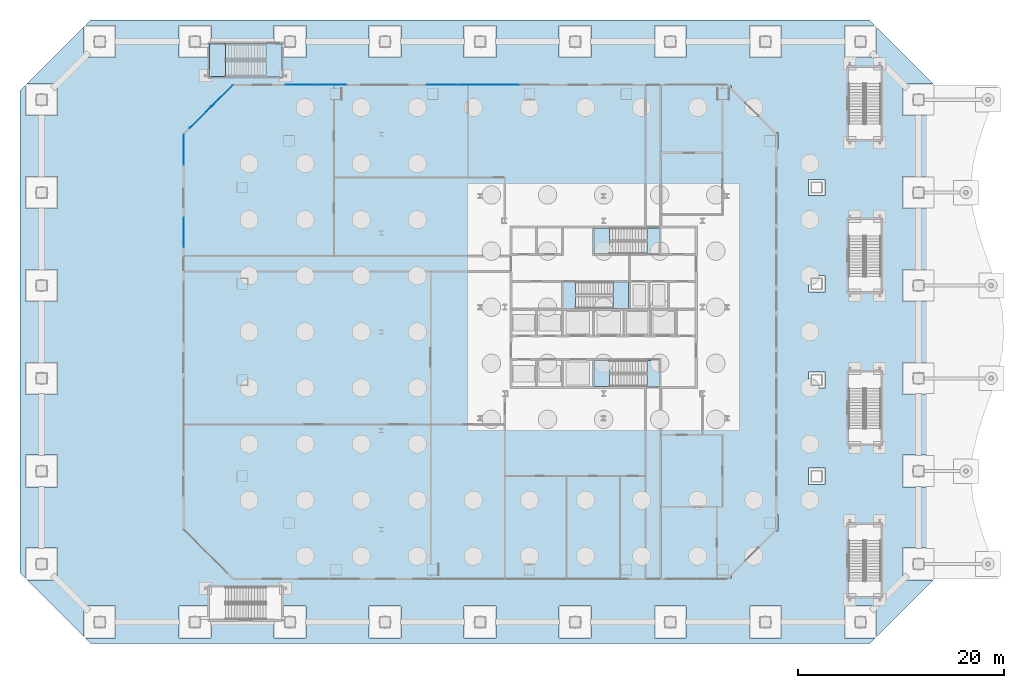
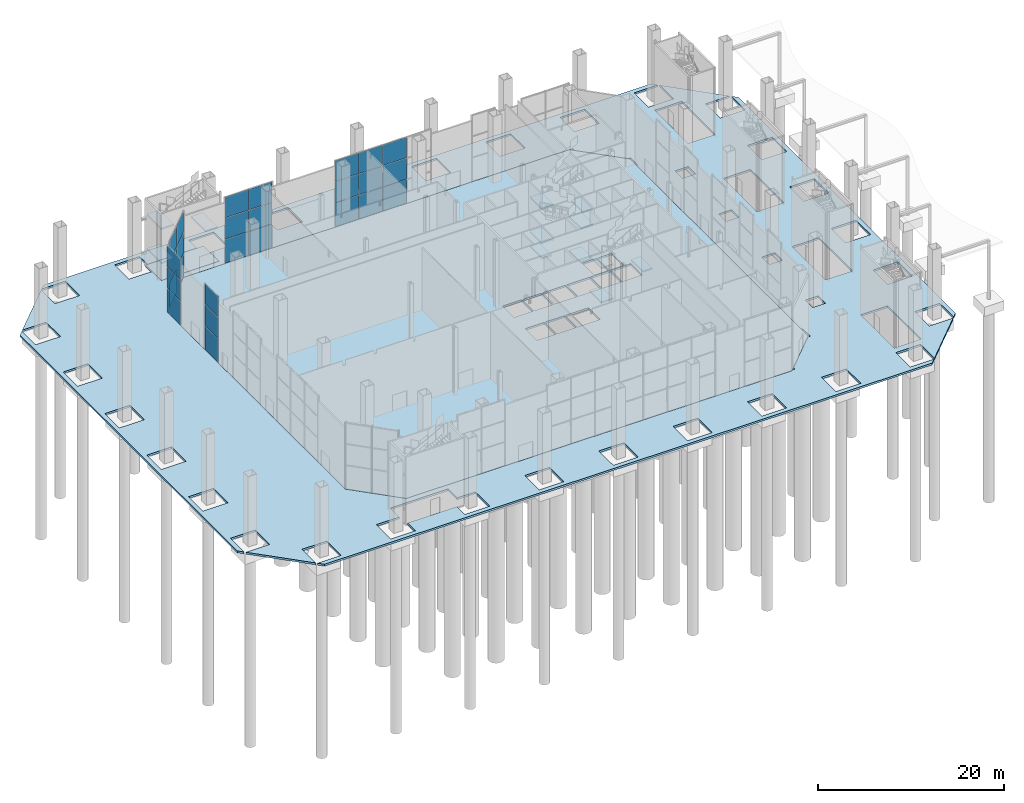
# One storey, part 21 of 38: 27 plates, 15 slabs, 9 elements without a shape of their own.
"""IFC4 building model written with IfcOpenShell, lengths in metres."""

from ifc_helpers import new_model, si_unit, direction, frame, origin, origin_2d, place, context, subcontext, project, spatial, polyline, rectangle, outline, extrude, material, layer, layer_set, type_object, element, aggregate, save


model = new_model("IFC4")

# Units and contexts
model_context = context("Model", 3, precision=1e-05, world=origin(), true_north=direction((0.0, 1.0)))
body_context = subcontext(model_context, "Body", "Model", "MODEL_VIEW")
ifc_project = project(units=[si_unit("LENGTHUNIT", "METRE"), si_unit("AREAUNIT", "SQUARE_METRE"), si_unit("VOLUMEUNIT", "CUBIC_METRE"), si_unit("PLANEANGLEUNIT", "RADIAN"), si_unit("MASSUNIT", "GRAM", prefix="KILO")], contexts=[model_context])

# Site, building, storey
site_placement = place(None, origin())
site = spatial("IfcSite", under=ifc_project, at=site_placement, CompositionType="ELEMENT")
building_placement = place(site_placement, origin())
building = spatial("IfcBuilding", under=site, at=building_placement, Name="Cairn Pilgrim Tower", CompositionType="ELEMENT")
storey_placement = place(building_placement, origin())
storey = spatial("IfcBuildingStorey", under=building, at=storey_placement, Name="L00", CompositionType="ELEMENT", Elevation=0.0)

# Slab
ifc_material_1 = material(Name="Concrete C32/40", Category="concrete")
ifc_layer_1 = layer(ifc_material_1, 0.25)
ifc_layer_set_1 = layer_set([ifc_layer_1], Name="GROUND SLAB 250")
slab_type_1 = type_object("IfcSlabType", Name="GROUND SLAB 250", PredefinedType="BASESLAB", material=ifc_layer_set_1)
slab_1_placement = place(storey_placement, frame((0.0, 0.0, -0.25)))
element("IfcSlab", 1, at=slab_1_placement, inside=storey, type_object=slab_type_1, Name="GROUND SLAB", PredefinedType="BASESLAB", context=body_context, shape_type="SweptSolid", body=[
    extrude(outline(polyline([(-28.800048828125, -24.0), (19.199951171875, -24.0), (24.0, -19.199951171875), (24.0, 19.199951171875), (19.199951171875, 24.0), (-28.800048828125, 24.0), (-33.60009765625, 19.199951171875), (-33.60009765625, -19.199951171875), (-28.800048828125, -24.0)]), holes=[polyline([(0.625, -2.77490234375), (0.625, -5.300048828125), (-1.72509765625, -5.300048828125), (-1.72509765625, -2.77490234375), (0.625, -2.77490234375)]), polyline([(3.125, -2.77490234375), (3.125, -5.300048828125), (0.77490234375, -5.300048828125), (0.77490234375, -2.77490234375), (3.125, -2.77490234375)]), polyline([(6.125, -2.77490234375), (6.125, -5.300048828125), (3.27490234375, -5.300048828125), (3.27490234375, -2.77490234375), (6.125, -2.77490234375)]), polyline([(0.625, -0.324951171875), (-1.72509765625, -0.324951171875), (-1.72509765625, 2.125), (0.625, 2.125), (0.625, -0.324951171875)]), polyline([(3.125, -0.324951171875), (0.77490234375, -0.324951171875), (0.77490234375, 2.125), (3.125, 2.125), (3.125, -0.324951171875)]), polyline([(6.125, 2.125), (6.125, -0.324951171875), (3.27490234375, -0.324951171875), (3.27490234375, 2.125), (6.125, 2.125)]), polyline([(9.125, -0.324951171875), (6.27490234375, -0.324951171875), (6.27490234375, 2.125), (9.125, 2.125), (9.125, -0.324951171875)]), polyline([(11.675048828125, -0.324951171875), (9.27490234375, -0.324951171875), (9.27490234375, 2.125), (11.675048828125, 2.125), (11.675048828125, -0.324951171875)]), polyline([(14.22509765625, 2.125), (14.22509765625, -0.324951171875), (11.824951171875, -0.324951171875), (11.824951171875, 2.125), (14.22509765625, 2.125)]), polyline([(11.52490234375, 2.27490234375), (9.77490234375, 2.27490234375), (9.77490234375, 4.824951171875), (11.52490234375, 4.824951171875), (11.52490234375, 2.27490234375)]), polyline([(13.425048828125, 2.27490234375), (11.675048828125, 2.27490234375), (11.675048828125, 4.824951171875), (13.425048828125, 4.824951171875), (13.425048828125, 2.27490234375)])]), origin(), (0.0, 0.0, 1.0), 0.25),
])

# Curtain wall, plates
ifc_material_2 = material(Name="Bronze anodised aluminium with Tinted laminated low-E glass", Category="aluminium")
curtain_wall_type = type_object("IfcCurtainWallType", Name="PAVILION CW", PredefinedType="NOTDEFINED", material=ifc_material_2)
curtain_wall_1_placement = place(storey_placement, origin())
curtain_wall_1 = element("IfcCurtainWall", 2, at=curtain_wall_1_placement, inside=storey, type_object=curtain_wall_type, Name="PAVILION CW 4.5", PredefinedType="NOTDEFINED")
ifc_material_3 = material(Name="Tinted laminated low-E glass", Category="glass")
ifc_layer_2 = layer(ifc_material_3, 0.028076171875)
ifc_layer_set_2 = layer_set([ifc_layer_2], Name="PAVILION GLASS PANEL 2940x2680")
plate_type_1 = type_object("IfcPlateType", Name="PAVILION GLASS PANEL 2940x2680", PredefinedType="CURTAIN_PANEL", material=ifc_layer_set_2)
plate_1_placement = place(storey_placement, frame((-2.52490234375, 24.0, 3.22998046875), z_axis=(0.0, 0.0, 1.0), x_axis=(-1.0, 0.0, 0.0)))
plate_1 = element("IfcPlate", 3, at=plate_1_placement, type_object=plate_type_1, Name="PCW-45 panel 2.2", PredefinedType="CURTAIN_PANEL", context=body_context, shape_type="SweptSolid", body=[
    extrude(rectangle(XDim=2.93994140625, YDim=0.028076171875, at=origin_2d()), origin(), (0.0, 0.0, 1.0), 2.739990234375),
])
plate_2_placement = place(storey_placement, frame((-2.52490234375, 24.0, 6.030029296875), z_axis=(0.0, 0.0, 1.0), x_axis=(-1.0, 0.0, 0.0)))
plate_2 = element("IfcPlate", 4, at=plate_2_placement, type_object=plate_type_1, Name="PCW-45 panel 2.3", PredefinedType="CURTAIN_PANEL", context=body_context, shape_type="SweptSolid", body=[
    extrude(rectangle(XDim=2.93994140625, YDim=0.028076171875, at=origin_2d()), origin(), (0.0, 0.0, 1.0), 2.7099609375),
])
plate_3_placement = place(storey_placement, frame((-5.52490234375, 24.0, 3.22998046875), z_axis=(0.0, 0.0, 1.0), x_axis=(-1.0, 0.0, 0.0)))
plate_3 = element("IfcPlate", 5, at=plate_3_placement, type_object=plate_type_1, Name="PCW-45 panel 3.2", PredefinedType="CURTAIN_PANEL", context=body_context, shape_type="SweptSolid", body=[
    extrude(rectangle(XDim=2.93994140625, YDim=0.028076171875, at=origin_2d()), origin(), (0.0, 0.0, 1.0), 2.739990234375),
])
plate_4_placement = place(storey_placement, frame((-5.52490234375, 24.0, 6.030029296875), z_axis=(0.0, 0.0, 1.0), x_axis=(-1.0, 0.0, 0.0)))
plate_4 = element("IfcPlate", 6, at=plate_4_placement, type_object=plate_type_1, Name="PCW-45 panel 3.3", PredefinedType="CURTAIN_PANEL", context=body_context, shape_type="SweptSolid", body=[
    extrude(rectangle(XDim=2.93994140625, YDim=0.028076171875, at=origin_2d()), origin(), (0.0, 0.0, 1.0), 2.7099609375),
])
plate_5_placement = place(storey_placement, frame((-8.510009765625, 24.0, 3.22998046875), z_axis=(0.0, 0.0, 1.0), x_axis=(-1.0, 0.0, 0.0)))
plate_5 = element("IfcPlate", 7, at=plate_5_placement, type_object=plate_type_1, Name="PCW-45 panel 4.2", PredefinedType="CURTAIN_PANEL", context=body_context, shape_type="SweptSolid", body=[
    extrude(rectangle(XDim=2.909912109375, YDim=0.028076171875, at=origin_2d()), origin(), (0.0, 0.0, 1.0), 2.739990234375),
])
plate_6_placement = place(storey_placement, frame((-8.510009765625, 24.0, 6.030029296875), z_axis=(0.0, 0.0, 1.0), x_axis=(-1.0, 0.0, 0.0)))
plate_6 = element("IfcPlate", 8, at=plate_6_placement, type_object=plate_type_1, Name="PCW-45 panel 4.3", PredefinedType="CURTAIN_PANEL", context=body_context, shape_type="SweptSolid", body=[
    extrude(rectangle(XDim=2.909912109375, YDim=0.028076171875, at=origin_2d()), origin(), (0.0, 0.0, 1.0), 2.7099609375),
])

curtain_wall_2_placement = place(storey_placement, origin())
curtain_wall_2 = element("IfcCurtainWall", 9, at=curtain_wall_2_placement, inside=storey, type_object=curtain_wall_type, Name="PAVILION CW 4.7", PredefinedType="NOTDEFINED")
plate_7_placement = place(storey_placement, frame((-19.239990234375, 24.0, 3.22998046875), z_axis=(0.0, 0.0, 1.0), x_axis=(-1.0, 0.0, 0.0)))
plate_7 = element("IfcPlate", 10, at=plate_7_placement, type_object=plate_type_1, Name="PCW-47 panel 1.2", PredefinedType="CURTAIN_PANEL", context=body_context, shape_type="SweptSolid", body=[
    extrude(rectangle(XDim=2.909912109375, YDim=0.028076171875, at=origin_2d()), origin(), (0.0, 0.0, 1.0), 2.739990234375),
])
plate_8_placement = place(storey_placement, frame((-19.239990234375, 24.0, 6.030029296875), z_axis=(0.0, 0.0, 1.0), x_axis=(-1.0, 0.0, 0.0)))
plate_8 = element("IfcPlate", 11, at=plate_8_placement, type_object=plate_type_1, Name="PCW-47 panel 1.3", PredefinedType="CURTAIN_PANEL", context=body_context, shape_type="SweptSolid", body=[
    extrude(rectangle(XDim=2.909912109375, YDim=0.028076171875, at=origin_2d()), origin(), (0.0, 0.0, 1.0), 2.7099609375),
])
plate_9_placement = place(storey_placement, frame((-22.2099609375, 24.0, 3.22998046875), z_axis=(0.0, 0.0, 1.0), x_axis=(-1.0, 0.0, 0.0)))
plate_9 = element("IfcPlate", 12, at=plate_9_placement, type_object=plate_type_1, Name="PCW-47 panel 2.2", PredefinedType="CURTAIN_PANEL", context=body_context, shape_type="SweptSolid", body=[
    extrude(rectangle(XDim=2.909912109375, YDim=0.028076171875, at=origin_2d()), origin(), (0.0, 0.0, 1.0), 2.739990234375),
])
plate_10_placement = place(storey_placement, frame((-22.2099609375, 24.0, 6.030029296875), z_axis=(0.0, 0.0, 1.0), x_axis=(-1.0, 0.0, 0.0)))
plate_10 = element("IfcPlate", 13, at=plate_10_placement, type_object=plate_type_1, Name="PCW-47 panel 2.3", PredefinedType="CURTAIN_PANEL", context=body_context, shape_type="SweptSolid", body=[
    extrude(rectangle(XDim=2.909912109375, YDim=0.028076171875, at=origin_2d()), origin(), (0.0, 0.0, 1.0), 2.7099609375),
])

curtain_wall_3_placement = place(storey_placement, origin())
curtain_wall_3 = element("IfcCurtainWall", 14, at=curtain_wall_3_placement, inside=storey, type_object=curtain_wall_type, Name="PAVILION CW 5.1", PredefinedType="NOTDEFINED")
plate_11_placement = place(storey_placement, frame((-29.871337890625, 22.9287109375, 3.22998046875), z_axis=(0.0, 0.0, 1.0), x_axis=(-0.707106781187, -0.707106781187, 0.0)))
plate_11 = element("IfcPlate", 15, at=plate_11_placement, type_object=plate_type_1, Name="PCW-51 panel 1.2", PredefinedType="CURTAIN_PANEL", context=body_context, shape_type="SweptSolid", body=[
    extrude(rectangle(XDim=2.909912109375, YDim=0.028076171875, at=origin_2d()), origin(), (0.0, 0.0, 1.0), 2.739990234375),
])
plate_12_placement = place(storey_placement, frame((-29.871337890625, 22.9287109375, 6.030029296875), z_axis=(0.0, 0.0, 1.0), x_axis=(-0.707106781187, -0.707106781187, 0.0)))
plate_12 = element("IfcPlate", 16, at=plate_12_placement, type_object=plate_type_1, Name="PCW-51 panel 1.3", PredefinedType="CURTAIN_PANEL", context=body_context, shape_type="SweptSolid", body=[
    extrude(rectangle(XDim=2.909912109375, YDim=0.028076171875, at=origin_2d()), origin(), (0.0, 0.0, 1.0), 2.7099609375),
])
plate_13_placement = place(storey_placement, frame((-31.971435546875, 20.82861328125, 3.22998046875), z_axis=(0.0, 0.0, 1.0), x_axis=(-0.707106781187, -0.707106781187, 0.0)))
plate_13 = element("IfcPlate", 17, at=plate_13_placement, type_object=plate_type_1, Name="PCW-51 panel 2.2", PredefinedType="CURTAIN_PANEL", context=body_context, shape_type="SweptSolid", body=[
    extrude(rectangle(XDim=2.909912109375, YDim=0.028076171875, at=origin_2d()), origin(), (0.0, 0.0, 1.0), 2.739990234375),
])
plate_14_placement = place(storey_placement, frame((-31.971435546875, 20.82861328125, 6.030029296875), z_axis=(0.0, 0.0, 1.0), x_axis=(-0.707106781187, -0.707106781187, 0.0)))
plate_14 = element("IfcPlate", 18, at=plate_14_placement, type_object=plate_type_1, Name="PCW-51 panel 2.3", PredefinedType="CURTAIN_PANEL", context=body_context, shape_type="SweptSolid", body=[
    extrude(rectangle(XDim=2.909912109375, YDim=0.028076171875, at=origin_2d()), origin(), (0.0, 0.0, 1.0), 2.7099609375),
])

curtain_wall_4_placement = place(storey_placement, origin())
curtain_wall_4 = element("IfcCurtainWall", 19, at=curtain_wall_4_placement, inside=storey, type_object=curtain_wall_type, Name="PAVILION CW 6.1", PredefinedType="NOTDEFINED")
plate_15_placement = place(storey_placement, frame((-33.60009765625, 17.699951171875, 3.22998046875), z_axis=(0.0, 0.0, 1.0), x_axis=(0.0, -1.0, 0.0)))
plate_15 = element("IfcPlate", 20, at=plate_15_placement, type_object=plate_type_1, Name="PCW-61 panel 1.2", PredefinedType="CURTAIN_PANEL", context=body_context, shape_type="SweptSolid", body=[
    extrude(rectangle(XDim=2.8798828125, YDim=0.028076171875, at=origin_2d()), origin(), (0.0, 0.0, 1.0), 2.739990234375),
])
plate_16_placement = place(storey_placement, frame((-33.60009765625, 17.699951171875, 6.030029296875), z_axis=(0.0, 0.0, 1.0), x_axis=(0.0, -1.0, 0.0)))
plate_16 = element("IfcPlate", 21, at=plate_16_placement, type_object=plate_type_1, Name="PCW-61 panel 1.3", PredefinedType="CURTAIN_PANEL", context=body_context, shape_type="SweptSolid", body=[
    extrude(rectangle(XDim=2.8798828125, YDim=0.028076171875, at=origin_2d()), origin(), (0.0, 0.0, 1.0), 2.7099609375),
])

curtain_wall_5_placement = place(storey_placement, origin())
curtain_wall_5 = element("IfcCurtainWall", 22, at=curtain_wall_5_placement, inside=storey, type_object=curtain_wall_type, Name="PAVILION CW 6.3", PredefinedType="NOTDEFINED")
plate_17_placement = place(storey_placement, frame((-33.60009765625, 9.64990234375, 3.22998046875), z_axis=(0.0, 0.0, 1.0), x_axis=(0.0, -1.0, 0.0)))
plate_17 = element("IfcPlate", 23, at=plate_17_placement, type_object=plate_type_1, Name="PCW-63 panel 1.2", PredefinedType="CURTAIN_PANEL", context=body_context, shape_type="SweptSolid", body=[
    extrude(rectangle(XDim=2.8798828125, YDim=0.028076171875, at=origin_2d()), origin(), (0.0, 0.0, 1.0), 2.739990234375),
])
plate_18_placement = place(storey_placement, frame((-33.60009765625, 9.64990234375, 6.030029296875), z_axis=(0.0, 0.0, 1.0), x_axis=(0.0, -1.0, 0.0)))
plate_18 = element("IfcPlate", 24, at=plate_18_placement, type_object=plate_type_1, Name="PCW-63 panel 1.3", PredefinedType="CURTAIN_PANEL", context=body_context, shape_type="SweptSolid", body=[
    extrude(rectangle(XDim=2.8798828125, YDim=0.028076171875, at=origin_2d()), origin(), (0.0, 0.0, 1.0), 2.7099609375),
])

# Plate
ifc_layer_3 = layer(ifc_material_3, 0.028076171875)
ifc_layer_set_3 = layer_set([ifc_layer_3], Name="PAVILION GLASS PANEL 2940x3020")
plate_type_2 = type_object("IfcPlateType", Name="PAVILION GLASS PANEL 2940x3020", PredefinedType="CURTAIN_PANEL", material=ifc_layer_set_3)
plate_19_placement = place(storey_placement, frame((-2.52490234375, 24.0, 0.06005859375), z_axis=(0.0, 0.0, 1.0), x_axis=(-1.0, 0.0, 0.0)))
plate_19 = element("IfcPlate", 25, at=plate_19_placement, type_object=plate_type_2, Name="PCW-45 panel 2.1", PredefinedType="CURTAIN_PANEL", context=body_context, shape_type="SweptSolid", body=[
    extrude(rectangle(XDim=2.93994140625, YDim=0.028076171875, at=origin_2d()), origin(), (0.0, 0.0, 1.0), 3.110107421875),
])

plate_20_placement = place(storey_placement, frame((-5.52490234375, 24.0, 0.06005859375), z_axis=(0.0, 0.0, 1.0), x_axis=(-1.0, 0.0, 0.0)))
plate_20 = element("IfcPlate", 26, at=plate_20_placement, type_object=plate_type_2, Name="PCW-45 panel 3.1", PredefinedType="CURTAIN_PANEL", context=body_context, shape_type="SweptSolid", body=[
    extrude(rectangle(XDim=2.93994140625, YDim=0.028076171875, at=origin_2d()), origin(), (0.0, 0.0, 1.0), 3.110107421875),
])

plate_21_placement = place(storey_placement, frame((-8.510009765625, 24.0, 0.06005859375), z_axis=(0.0, 0.0, 1.0), x_axis=(-1.0, 0.0, 0.0)))
plate_21 = element("IfcPlate", 27, at=plate_21_placement, type_object=plate_type_2, Name="PCW-45 panel 4.1", PredefinedType="CURTAIN_PANEL", context=body_context, shape_type="SweptSolid", body=[
    extrude(rectangle(XDim=2.909912109375, YDim=0.028076171875, at=origin_2d()), origin(), (0.0, 0.0, 1.0), 3.110107421875),
])

aggregate(curtain_wall_1, [plate_19, plate_1, plate_2, plate_20, plate_3, plate_4, plate_21, plate_5, plate_6])

plate_22_placement = place(storey_placement, frame((-19.239990234375, 24.0, 0.06005859375), z_axis=(0.0, 0.0, 1.0), x_axis=(-1.0, 0.0, 0.0)))
plate_22 = element("IfcPlate", 28, at=plate_22_placement, type_object=plate_type_2, Name="PCW-47 panel 1.1", PredefinedType="CURTAIN_PANEL", context=body_context, shape_type="SweptSolid", body=[
    extrude(rectangle(XDim=2.909912109375, YDim=0.028076171875, at=origin_2d()), origin(), (0.0, 0.0, 1.0), 3.110107421875),
])

plate_23_placement = place(storey_placement, frame((-22.2099609375, 24.0, 0.06005859375), z_axis=(0.0, 0.0, 1.0), x_axis=(-1.0, 0.0, 0.0)))
plate_23 = element("IfcPlate", 29, at=plate_23_placement, type_object=plate_type_2, Name="PCW-47 panel 2.1", PredefinedType="CURTAIN_PANEL", context=body_context, shape_type="SweptSolid", body=[
    extrude(rectangle(XDim=2.909912109375, YDim=0.028076171875, at=origin_2d()), origin(), (0.0, 0.0, 1.0), 3.110107421875),
])

aggregate(curtain_wall_2, [plate_22, plate_7, plate_8, plate_23, plate_9, plate_10])

plate_24_placement = place(storey_placement, frame((-29.871337890625, 22.9287109375, 0.06005859375), z_axis=(0.0, 0.0, 1.0), x_axis=(-0.707106781187, -0.707106781187, 0.0)))
plate_24 = element("IfcPlate", 30, at=plate_24_placement, type_object=plate_type_2, Name="PCW-51 panel 1.1", PredefinedType="CURTAIN_PANEL", context=body_context, shape_type="SweptSolid", body=[
    extrude(rectangle(XDim=2.909912109375, YDim=0.028076171875, at=origin_2d()), origin(), (0.0, 0.0, 1.0), 3.110107421875),
])

plate_25_placement = place(storey_placement, frame((-31.971435546875, 20.82861328125, 0.06005859375), z_axis=(0.0, 0.0, 1.0), x_axis=(-0.707106781187, -0.707106781187, 0.0)))
plate_25 = element("IfcPlate", 31, at=plate_25_placement, type_object=plate_type_2, Name="PCW-51 panel 2.1", PredefinedType="CURTAIN_PANEL", context=body_context, shape_type="SweptSolid", body=[
    extrude(rectangle(XDim=2.909912109375, YDim=0.028076171875, at=origin_2d()), origin(), (0.0, 0.0, 1.0), 3.110107421875),
])

aggregate(curtain_wall_3, [plate_24, plate_11, plate_12, plate_25, plate_13, plate_14])

plate_26_placement = place(storey_placement, frame((-33.60009765625, 17.699951171875, 0.06005859375), z_axis=(0.0, 0.0, 1.0), x_axis=(0.0, -1.0, 0.0)))
plate_26 = element("IfcPlate", 32, at=plate_26_placement, type_object=plate_type_2, Name="PCW-61 panel 1.1", PredefinedType="CURTAIN_PANEL", context=body_context, shape_type="SweptSolid", body=[
    extrude(rectangle(XDim=2.8798828125, YDim=0.028076171875, at=origin_2d()), origin(), (0.0, 0.0, 1.0), 3.110107421875),
])

aggregate(curtain_wall_4, [plate_26, plate_15, plate_16])

plate_27_placement = place(storey_placement, frame((-33.60009765625, 9.64990234375, 0.06005859375), z_axis=(0.0, 0.0, 1.0), x_axis=(0.0, -1.0, 0.0)))
plate_27 = element("IfcPlate", 33, at=plate_27_placement, type_object=plate_type_2, Name="PCW-63 panel 1.1", PredefinedType="CURTAIN_PANEL", context=body_context, shape_type="SweptSolid", body=[
    extrude(rectangle(XDim=2.8798828125, YDim=0.028076171875, at=origin_2d()), origin(), (0.0, 0.0, 1.0), 3.110107421875),
])

aggregate(curtain_wall_5, [plate_27, plate_17, plate_18])

# Slab
ifc_layer_4 = layer(ifc_material_1, 0.25)
ifc_layer_set_4 = layer_set([ifc_layer_4], Name="PAVING SLAB 250")
slab_type_2 = type_object("IfcSlabType", Name="PAVING SLAB 250", PredefinedType="USERDEFINED", material=ifc_layer_set_4)
slab_2_placement = place(storey_placement, frame((0.0, 0.0, -0.25)))
element("IfcSlab", 34, at=slab_2_placement, inside=storey, type_object=slab_type_2, Name="PLAZA PAVING", ObjectType="PAVING", PredefinedType="USERDEFINED", context=body_context, shape_type="SweptSolid", body=[
    extrude(outline(polyline([(-48.949951171875, 21.00146484375), (-48.949951171875, 23.971435546875), (-49.5, 23.42138671875), (-49.5, -23.42138671875), (-48.949951171875, -23.971435546875), (-48.949951171875, -21.00146484375), (-45.85009765625, -21.00146484375), (-45.85009765625, -24.1015625), (-48.81982421875, -24.1015625), (-43.301513671875, -29.619873046875), (-43.301513671875, -26.64990234375), (-40.201416015625, -26.64990234375), (-40.201416015625, -29.75), (-43.17138671875, -29.75), (-42.621337890625, -30.300048828125), (33.021240234375, -30.300048828125), (33.5712890625, -29.75), (30.6015625, -29.75), (30.6015625, -26.64990234375), (33.701416015625, -26.64990234375), (33.701416015625, -29.619873046875), (39.2197265625, -24.1015625), (36.25, -24.1015625), (36.25, -21.00146484375), (39.35009765625, -21.00146484375), (39.35009765625, -23.971435546875), (39.89990234375, -23.42138671875), (39.89990234375, 23.42138671875), (39.35009765625, 23.971435546875), (39.35009765625, 21.00146484375), (36.25, 21.00146484375), (36.25, 24.1015625), (39.2197265625, 24.1015625), (33.701416015625, 29.619873046875), (33.701416015625, 26.64990234375), (30.6015625, 26.64990234375), (30.6015625, 29.75), (33.5712890625, 29.75), (33.021240234375, 30.300048828125), (-42.621337890625, 30.300048828125), (-43.17138671875, 29.75), (-40.201416015625, 29.75), (-40.201416015625, 26.64990234375), (-43.301513671875, 26.64990234375), (-43.301513671875, 29.619873046875), (-48.81982421875, 24.1015625), (-45.85009765625, 24.1015625), (-45.85009765625, 21.00146484375), (-48.949951171875, 21.00146484375)]), holes=[polyline([(19.627197265625, -23.57275390625), (23.83642578125, -19.363525390625), (24.16357421875, -19.363525390625), (24.16357421875, -17.763671875), (24.0, -17.763671875), (24.0, 17.763671875), (24.16357421875, 17.763671875), (24.16357421875, 19.363525390625), (23.83642578125, 19.363525390625), (19.627197265625, 23.57275390625), (19.627197265625, 23.89990234375), (19.300048828125, 23.89990234375), (19.199951171875, 24.0), (-28.800048828125, 24.0), (-33.60009765625, 19.199951171875), (-33.60009765625, -19.199951171875), (-28.800048828125, -24.0), (19.199951171875, -24.0), (19.300048828125, -23.89990234375), (19.627197265625, -23.89990234375), (19.627197265625, -23.57275390625)]), polyline([(-21.725830078125, -26.64990234375), (-24.0, -26.64990234375), (-24.0, -24.699951171875), (-31.199951171875, -24.699951171875), (-31.199951171875, -26.64990234375), (-34.063720703125, -26.64990234375), (-34.063720703125, -29.75), (-30.963623046875, -29.75), (-30.963623046875, -28.050048828125), (-24.82568359375, -28.050048828125), (-24.82568359375, -29.75), (-21.725830078125, -29.75), (-21.725830078125, -26.64990234375)]), polyline([(-12.48779296875, -26.64990234375), (-15.587890625, -26.64990234375), (-15.587890625, -29.75), (-12.48779296875, -29.75), (-12.48779296875, -26.64990234375)]), polyline([(-45.85009765625, -11.98095703125), (-48.949951171875, -11.98095703125), (-48.949951171875, -15.080810546875), (-45.85009765625, -15.080810546875), (-45.85009765625, -11.98095703125)]), polyline([(-45.85009765625, -6.060302734375), (-45.85009765625, -2.960205078125), (-48.949951171875, -2.960205078125), (-48.949951171875, -6.060302734375), (-45.85009765625, -6.060302734375)]), polyline([(-45.85009765625, 6.060302734375), (-48.949951171875, 6.060302734375), (-48.949951171875, 2.960205078125), (-45.85009765625, 2.960205078125), (-45.85009765625, 6.060302734375)]), polyline([(-45.85009765625, 11.98095703125), (-45.85009765625, 15.080810546875), (-48.949951171875, 15.080810546875), (-48.949951171875, 11.98095703125), (-45.85009765625, 11.98095703125)]), polyline([(-30.963623046875, 28.050048828125), (-30.963623046875, 29.75), (-34.063720703125, 29.75), (-34.063720703125, 26.64990234375), (-31.199951171875, 26.64990234375), (-31.199951171875, 24.699951171875), (-24.0, 24.699951171875), (-24.0, 26.64990234375), (-21.725830078125, 26.64990234375), (-21.725830078125, 29.75), (-24.82568359375, 29.75), (-24.82568359375, 28.050048828125), (-30.963623046875, 28.050048828125)]), polyline([(-12.48779296875, 29.75), (-15.587890625, 29.75), (-15.587890625, 26.64990234375), (-12.48779296875, 26.64990234375), (-12.48779296875, 29.75)]), polyline([(15.225830078125, -29.75), (15.225830078125, -26.64990234375), (12.125732421875, -26.64990234375), (12.125732421875, -29.75), (15.225830078125, -29.75)]), polyline([(-3.25, -29.75), (-3.25, -26.64990234375), (-6.35009765625, -26.64990234375), (-6.35009765625, -29.75), (-3.25, -29.75)]), polyline([(5.98779296875, -26.64990234375), (2.887939453125, -26.64990234375), (2.887939453125, -29.75), (5.98779296875, -29.75), (5.98779296875, -26.64990234375)]), polyline([(15.225830078125, 29.75), (12.125732421875, 29.75), (12.125732421875, 26.64990234375), (15.225830078125, 26.64990234375), (15.225830078125, 29.75)]), polyline([(5.98779296875, 26.64990234375), (5.98779296875, 29.75), (2.887939453125, 29.75), (2.887939453125, 26.64990234375), (5.98779296875, 26.64990234375)]), polyline([(-3.25, 26.64990234375), (-3.25, 29.75), (-6.35009765625, 29.75), (-6.35009765625, 26.64990234375), (-3.25, 26.64990234375)]), polyline([(24.463623046875, -26.64990234375), (21.363525390625, -26.64990234375), (21.363525390625, -29.75), (24.463623046875, -29.75), (24.463623046875, -26.64990234375)]), polyline([(28.699951171875, -13.227294921875), (27.10009765625, -13.227294921875), (27.10009765625, -14.8271484375), (28.699951171875, -14.8271484375), (28.699951171875, -13.227294921875)]), polyline([(39.35009765625, -11.98095703125), (36.25, -11.98095703125), (36.25, -15.080810546875), (39.35009765625, -15.080810546875), (39.35009765625, -11.98095703125)]), polyline([(28.699951171875, -5.475830078125), (28.699951171875, -3.875732421875), (27.10009765625, -3.875732421875), (27.10009765625, -5.475830078125), (28.699951171875, -5.475830078125)]), polyline([(39.35009765625, -2.960205078125), (36.25, -2.960205078125), (36.25, -6.060302734375), (39.35009765625, -6.060302734375), (39.35009765625, -2.960205078125)]), polyline([(39.35009765625, 2.960205078125), (39.35009765625, 6.060302734375), (36.25, 6.060302734375), (36.25, 2.960205078125), (39.35009765625, 2.960205078125)]), polyline([(28.699951171875, 5.475830078125), (27.10009765625, 5.475830078125), (27.10009765625, 3.875732421875), (28.699951171875, 3.875732421875), (28.699951171875, 5.475830078125)]), polyline([(39.35009765625, 15.080810546875), (36.25, 15.080810546875), (36.25, 11.98095703125), (39.35009765625, 11.98095703125), (39.35009765625, 15.080810546875)]), polyline([(28.699951171875, 13.227294921875), (28.699951171875, 14.8271484375), (27.10009765625, 14.8271484375), (27.10009765625, 13.227294921875), (28.699951171875, 13.227294921875)]), polyline([(24.463623046875, 26.64990234375), (24.463623046875, 29.75), (21.363525390625, 29.75), (21.363525390625, 26.64990234375), (24.463623046875, 26.64990234375)]), polyline([(30.89990234375, -25.800048828125), (34.25, -25.800048828125), (34.25, -18.60009765625), (30.89990234375, -18.60009765625), (30.89990234375, -25.800048828125)]), polyline([(30.89990234375, -11.0), (34.25, -11.0), (34.25, -3.800048828125), (30.89990234375, -3.800048828125), (30.89990234375, -11.0)]), polyline([(34.25, 3.800048828125), (34.25, 11.0), (30.89990234375, 11.0), (30.89990234375, 3.800048828125), (34.25, 3.800048828125)]), polyline([(30.89990234375, 18.60009765625), (34.25, 18.60009765625), (34.25, 25.800048828125), (30.89990234375, 25.800048828125), (30.89990234375, 18.60009765625)])]), origin(), (0.0, 0.0, 1.0), 0.25),
])

# Stair, slabs
ifc_material_4 = material(Name="Concrete C35/45", Category="concrete")
stair_type_1 = type_object("IfcStairType", Name="PODIUM EXIT STAIR 1500", PredefinedType="HALF_TURN_STAIR", material=ifc_material_4)
stair_1_placement = place(storey_placement, origin())
stair_1 = element("IfcStair", 35, at=stair_1_placement, inside=storey, type_object=stair_type_1, Name="L00 Exit Stair Hn", PredefinedType="HALF_TURN_STAIR")
ifc_layer_5 = layer(ifc_material_4, 0.199951171875)
ifc_layer_set_5 = layer_set([ifc_layer_5], Name="PODIUM STAIR LANDING 200")
slab_type_3 = type_object("IfcSlabType", Name="PODIUM STAIR LANDING 200", PredefinedType="LANDING", material=ifc_layer_set_5)
slab_3_placement = place(storey_placement, frame((0.0, 0.0, 2.050048828125)))
slab_3 = element("IfcSlab", 36, at=slab_3_placement, type_object=slab_type_3, Name="ST-HN landing 1", PredefinedType="LANDING", context=body_context, shape_type="SweptSolid", body=[
    extrude(outline(polyline([(-29.52001953125, 27.949951171875), (-31.10009765625, 27.949951171875), (-31.10009765625, 24.800048828125), (-29.52001953125, 24.800048828125), (-29.52001953125, 27.949951171875)])), origin(), (0.0, 0.0, 1.0), 0.199951171875),
])
slab_4_placement = place(storey_placement, frame((0.0, 0.0, 4.300048828125)))
slab_4 = element("IfcSlab", 37, at=slab_4_placement, type_object=slab_type_3, Name="ST-HN landing 2", PredefinedType="LANDING", context=body_context, shape_type="SweptSolid", body=[
    extrude(outline(polyline([(-24.10009765625, 27.949951171875), (-25.60009765625, 27.949951171875), (-25.60009765625, 24.800048828125), (-24.10009765625, 24.800048828125), (-24.10009765625, 27.949951171875)])), origin(), (0.0, 0.0, 1.0), 0.199951171875),
])
slab_5_placement = place(storey_placement, frame((0.0, 0.0, 6.550048828125)))
slab_5 = element("IfcSlab", 38, at=slab_5_placement, type_object=slab_type_3, Name="ST-HN landing 3", PredefinedType="LANDING", context=body_context, shape_type="SweptSolid", body=[
    extrude(outline(polyline([(-29.52001953125, 27.949951171875), (-31.10009765625, 27.949951171875), (-31.10009765625, 24.800048828125), (-29.52001953125, 24.800048828125), (-29.52001953125, 27.949951171875)])), origin(), (0.0, 0.0, 1.0), 0.199951171875),
])
aggregate(stair_1, [slab_3, slab_4, slab_5])

# Slab
ifc_layer_6 = layer(ifc_material_1, 0.25)
ifc_layer_set_6 = layer_set([ifc_layer_6], Name="STAIR GROUND SLAB 250")
slab_type_4 = type_object("IfcSlabType", Name="STAIR GROUND SLAB 250", PredefinedType="BASESLAB", material=ifc_layer_set_6)
slab_6_placement = place(storey_placement, frame((0.0, 0.0, -0.25)))
element("IfcSlab", 39, at=slab_6_placement, inside=storey, type_object=slab_type_4, Name="HN STAIR GROUND SLAB", PredefinedType="BASESLAB", context=body_context, shape_type="SweptSolid", body=[
    extrude(outline(polyline([(-31.199951171875, 24.699951171875), (-24.0, 24.699951171875), (-24.0, 28.050048828125), (-31.199951171875, 28.050048828125), (-31.199951171875, 24.699951171875)])), origin(), (0.0, 0.0, 1.0), 0.25),
])

# Stair, slabs
stair_type_2 = type_object("IfcStairType", Name="EXIT STAIR 1200", PredefinedType="HALF_TURN_STAIR", material=ifc_material_1)
stair_2_placement = place(storey_placement, origin())
stair_2 = element("IfcStair", 40, at=stair_2_placement, inside=storey, type_object=stair_type_2, Name="L00 Exit Stair A", PredefinedType="HALF_TURN_STAIR")
ifc_layer_7 = layer(ifc_material_1, 0.199951171875)
ifc_layer_set_7 = layer_set([ifc_layer_7], Name="STAIR LANDING 200")
slab_type_5 = type_object("IfcSlabType", Name="STAIR LANDING 200", PredefinedType="LANDING", material=ifc_layer_set_7)
slab_7_placement = place(storey_placement, frame((0.0, 0.0, 2.050048828125)))
slab_7 = element("IfcSlab", 41, at=slab_7_placement, type_object=slab_type_5, Name="ST-A landing 1", PredefinedType="LANDING", context=body_context, shape_type="SweptSolid", body=[
    extrude(outline(polyline([(7.784912109375, -2.77490234375), (6.27490234375, -2.77490234375), (6.27490234375, -5.300048828125), (7.784912109375, -5.300048828125), (7.784912109375, -2.77490234375)])), origin(), (0.0, 0.0, 1.0), 0.199951171875),
])
slab_8_placement = place(storey_placement, frame((0.0, 0.0, 4.300048828125)))
slab_8 = element("IfcSlab", 42, at=slab_8_placement, type_object=slab_type_5, Name="ST-A landing 2", PredefinedType="LANDING", context=body_context, shape_type="SweptSolid", body=[
    extrude(outline(polyline([(12.625, -2.77490234375), (11.425048828125, -2.77490234375), (11.425048828125, -5.300048828125), (12.625, -5.300048828125), (12.625, -2.77490234375)])), origin(), (0.0, 0.0, 1.0), 0.199951171875),
])
slab_9_placement = place(storey_placement, frame((0.0, 0.0, 6.550048828125)))
slab_9 = element("IfcSlab", 43, at=slab_9_placement, type_object=slab_type_5, Name="ST-A landing 3", PredefinedType="LANDING", context=body_context, shape_type="SweptSolid", body=[
    extrude(outline(polyline([(7.784912109375, -2.77490234375), (6.27490234375, -2.77490234375), (6.27490234375, -5.300048828125), (7.784912109375, -5.300048828125), (7.784912109375, -2.77490234375)])), origin(), (0.0, 0.0, 1.0), 0.199951171875),
])
aggregate(stair_2, [slab_7, slab_8, slab_9])

stair_3_placement = place(storey_placement, origin())
stair_3 = element("IfcStair", 44, at=stair_3_placement, inside=storey, type_object=stair_type_2, Name="L00 Exit Stair B", PredefinedType="HALF_TURN_STAIR")
slab_10_placement = place(storey_placement, frame((0.0, 0.0, 2.050048828125)))
slab_10 = element("IfcSlab", 45, at=slab_10_placement, type_object=slab_type_5, Name="ST-B landing 1", PredefinedType="LANDING", context=body_context, shape_type="SweptSolid", body=[
    extrude(outline(polyline([(8.114990234375, 2.27490234375), (9.625, 2.27490234375), (9.625, 4.824951171875), (8.114990234375, 4.824951171875), (8.114990234375, 2.27490234375)])), origin(), (0.0, 0.0, 1.0), 0.199951171875),
])
slab_11_placement = place(storey_placement, frame((0.0, 0.0, 4.300048828125)))
slab_11 = element("IfcSlab", 46, at=slab_11_placement, type_object=slab_type_5, Name="ST-B landing 2", PredefinedType="LANDING", context=body_context, shape_type="SweptSolid", body=[
    extrude(outline(polyline([(3.27490234375, 2.27490234375), (4.47509765625, 2.27490234375), (4.47509765625, 4.824951171875), (3.27490234375, 4.824951171875), (3.27490234375, 2.27490234375)])), origin(), (0.0, 0.0, 1.0), 0.199951171875),
])
slab_12_placement = place(storey_placement, frame((0.0, 0.0, 6.550048828125)))
slab_12 = element("IfcSlab", 47, at=slab_12_placement, type_object=slab_type_5, Name="ST-B landing 3", PredefinedType="LANDING", context=body_context, shape_type="SweptSolid", body=[
    extrude(outline(polyline([(8.114990234375, 2.27490234375), (9.625, 2.27490234375), (9.625, 4.824951171875), (8.114990234375, 4.824951171875), (8.114990234375, 2.27490234375)])), origin(), (0.0, 0.0, 1.0), 0.199951171875),
])
aggregate(stair_3, [slab_10, slab_11, slab_12])

stair_4_placement = place(storey_placement, origin())
stair_4 = element("IfcStair", 48, at=stair_4_placement, inside=storey, type_object=stair_type_2, Name="L00 Exit Stair C", PredefinedType="HALF_TURN_STAIR")
slab_13_placement = place(storey_placement, frame((0.0, 0.0, 2.050048828125)))
slab_13 = element("IfcSlab", 49, at=slab_13_placement, type_object=slab_type_5, Name="ST-C landing 1", PredefinedType="LANDING", context=body_context, shape_type="SweptSolid", body=[
    extrude(outline(polyline([(7.784912109375, 10.10009765625), (6.27490234375, 10.10009765625), (6.27490234375, 7.574951171875), (7.784912109375, 7.574951171875), (7.784912109375, 10.10009765625)])), origin(), (0.0, 0.0, 1.0), 0.199951171875),
])
slab_14_placement = place(storey_placement, frame((0.0, 0.0, 4.300048828125)))
slab_14 = element("IfcSlab", 50, at=slab_14_placement, type_object=slab_type_5, Name="ST-C landing 2", PredefinedType="LANDING", context=body_context, shape_type="SweptSolid", body=[
    extrude(outline(polyline([(12.625, 10.10009765625), (11.425048828125, 10.10009765625), (11.425048828125, 7.574951171875), (12.625, 7.574951171875), (12.625, 10.10009765625)])), origin(), (0.0, 0.0, 1.0), 0.199951171875),
])
slab_15_placement = place(storey_placement, frame((0.0, 0.0, 6.550048828125)))
slab_15 = element("IfcSlab", 51, at=slab_15_placement, type_object=slab_type_5, Name="ST-C landing 3", PredefinedType="LANDING", context=body_context, shape_type="SweptSolid", body=[
    extrude(outline(polyline([(7.784912109375, 10.10009765625), (6.27490234375, 10.10009765625), (6.27490234375, 7.574951171875), (7.784912109375, 7.574951171875), (7.784912109375, 10.10009765625)])), origin(), (0.0, 0.0, 1.0), 0.199951171875),
])
aggregate(stair_4, [slab_13, slab_14, slab_15])

save(model, "model.ifc")
